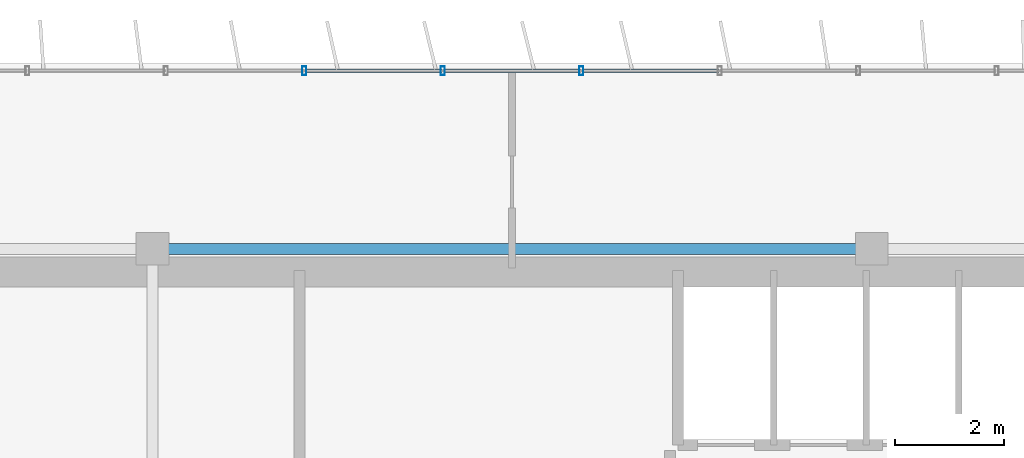
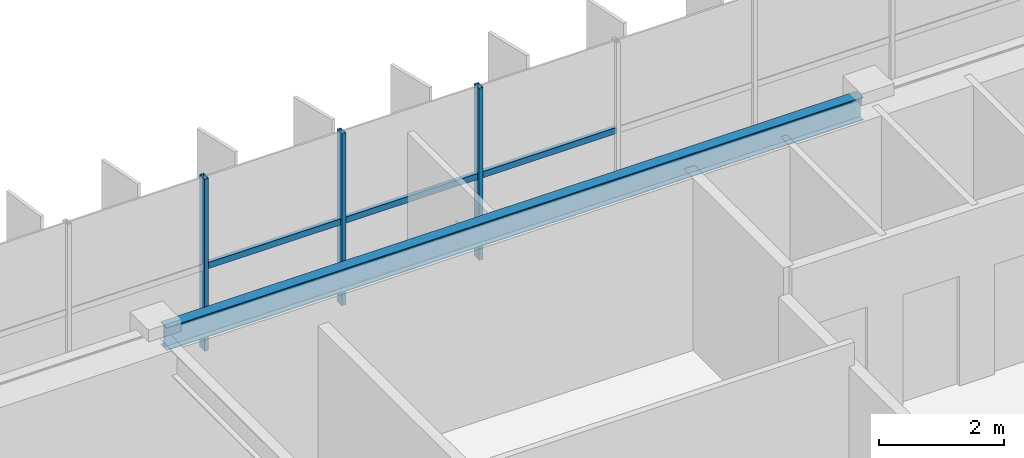
# One storey, part 9 of 23: 6 members, 1 beam, 1 element without a shape of its own.
"""IFC4 building model written with IfcOpenShell, lengths in metres."""

from ifc_helpers import new_model, si_unit, direction, frame, origin, origin_2d, place, context, subcontext, project, spatial, hollow_rectangle, i_section, extrude, source, transform, mapped, material, material_profile, profile_set, type_object, element, aggregate, save


model = new_model("IFC4")

# Units and contexts
model_context = context("Model", 3, precision=1e-05, world=origin(), true_north=direction((0.0, 1.0)))
body_context = subcontext(model_context, "Body", "Model", "MODEL_VIEW")
ifc_project = project(units=[si_unit("LENGTHUNIT", "METRE"), si_unit("AREAUNIT", "SQUARE_METRE"), si_unit("VOLUMEUNIT", "CUBIC_METRE"), si_unit("PLANEANGLEUNIT", "RADIAN"), si_unit("MASSUNIT", "GRAM", prefix="KILO")], contexts=[model_context])

# Site, building, storey
site_placement = place(None, origin())
site = spatial("IfcSite", under=ifc_project, at=site_placement, CompositionType="ELEMENT")
building_placement = place(site_placement, origin())
building = spatial("IfcBuilding", under=site, at=building_placement, Name="Trelvane Seafront Commons", CompositionType="ELEMENT")
storey_placement = place(building_placement, frame((0.0, 0.0, 266.699951171875)))
storey = spatial("IfcBuildingStorey", under=building, at=storey_placement, Name="L69", CompositionType="ELEMENT", Elevation=266.699951171875)

# Beam
ifc_material_1 = material(Name="Steel SM355 (S355)", Category="steel")
ifc_material_profile_1 = material_profile(ifc_material_1, i_section(OverallWidth=0.199951171875, OverallDepth=0.449951171875, WebThickness=0.009033203125, FlangeThickness=0.013916015625, at=origin_2d()), Name="H-450x200x9x14")
ifc_profile_set_1 = profile_set([ifc_material_profile_1], Name="Steel SM355 (S355)")
beam_type = type_object("IfcBeamType", Name="STR-SPD-H450", PredefinedType="SPANDREL", material=ifc_profile_set_1)
shared_shape_1 = source(origin(), body_context, "Body", "SweptSolid", [
    extrude(i_section(OverallWidth=0.199951171875, OverallDepth=0.449951171875, WebThickness=0.009033203125, FlangeThickness=0.013916015625, at=origin_2d()), origin(), (0.0, 0.0, 1.0), 12.89990234375),
])
beam_placement = place(storey_placement, frame((30.75, 45.10009765625, 3.14501953125), z_axis=(1.0, 0.0, 0.0), x_axis=(0.0, 1.0, 0.0)))
element("IfcBeam", 1, at=beam_placement, inside=storey, type_object=beam_type, Name="L69 Primary Girder G-25", PredefinedType="SPANDREL", context=body_context, shape_type="MappedRepresentation", body=[
    mapped(shared_shape_1, transform((0.0, 0.0, 0.0), x_axis=(1.0, 0.0, 0.0), y_axis=(0.0, 1.0, 0.0), z_axis=(0.0, 0.0, 1.0), scale=1.0)),
])

# Curtain wall, members
ifc_material_2 = material(Name="Anodised pale-silver aluminium", Category="aluminium")
curtain_wall_type = type_object("IfcCurtainWallType", Name="ARCH-CW5-UPTOWER", PredefinedType="NOTDEFINED", material=ifc_material_2)
curtain_wall_placement = place(storey_placement, origin())
curtain_wall = element("IfcCurtainWall", 2, at=curtain_wall_placement, inside=storey, type_object=curtain_wall_type, Name="CW-L69-0113", PredefinedType="NOTDEFINED")
ifc_material_profile_2 = material_profile(ifc_material_2, hollow_rectangle(XDim=0.070068359375, YDim=0.1201171875, WallThickness=0.00390625, at=origin_2d()), Name="TRAN-70x120x4")
ifc_profile_set_2 = profile_set([ifc_material_profile_2], Name="Anodised pale-silver aluminium")
member_type_1 = type_object("IfcMemberType", Name="ARCH-CW-TRAN-120", PredefinedType="USERDEFINED", material=ifc_profile_set_2)
shared_shape_2 = source(origin(), body_context, "Body", "SweptSolid", [
    extrude(hollow_rectangle(XDim=0.070068359375, YDim=0.1201171875, WallThickness=0.00390625, at=origin_2d()), origin(), (0.0, 0.0, 1.0), 2.51708984375),
])
member_1_placement = place(storey_placement, frame((35.94140625, 48.3701171875, 1.6181640625), z_axis=(1.0, 0.0, 0.0), x_axis=(0.0, 1.0, 0.0)))
member_1 = element("IfcMember", 3, at=member_1_placement, type_object=member_type_1, Name="CW-L69-0113-T08", ObjectType="TRANSOM", PredefinedType="USERDEFINED", context=body_context, shape_type="MappedRepresentation", body=[
    mapped(shared_shape_2, transform((0.0, 0.0, 0.0), x_axis=(1.0, 0.0, 0.0), y_axis=(0.0, 1.0, 0.0), z_axis=(0.0, 0.0, 1.0), scale=1.0)),
])
member_2_placement = place(storey_placement, frame((38.482666015625, 48.3701171875, 1.6181640625), z_axis=(1.0, 0.0, 0.0), x_axis=(0.0, 1.0, 0.0)))
member_2 = element("IfcMember", 4, at=member_2_placement, type_object=member_type_1, Name="CW-L69-0113-T09", ObjectType="TRANSOM", PredefinedType="USERDEFINED", context=body_context, shape_type="MappedRepresentation", body=[
    mapped(shared_shape_2, transform((0.0, 0.0, 0.0), x_axis=(1.0, 0.0, 0.0), y_axis=(0.0, 1.0, 0.0), z_axis=(0.0, 0.0, 1.0), scale=1.0)),
])
shared_shape_3 = source(origin(), body_context, "Body", "SweptSolid", [
    extrude(hollow_rectangle(XDim=0.070068359375, YDim=0.1201171875, WallThickness=0.00390625, at=origin_2d()), origin(), (0.0, 0.0, 1.0), 2.517333984375),
])
member_3_placement = place(storey_placement, frame((33.400146484375, 48.3701171875, 1.6181640625), z_axis=(1.0, 0.0, 0.0), x_axis=(0.0, 1.0, 0.0)))
member_3 = element("IfcMember", 5, at=member_3_placement, type_object=member_type_1, Name="CW-L69-0113-T07", ObjectType="TRANSOM", PredefinedType="USERDEFINED", context=body_context, shape_type="MappedRepresentation", body=[
    mapped(shared_shape_3, transform((0.0, 0.0, 0.0), x_axis=(1.0, 0.0, 0.0), y_axis=(0.0, 1.0, 0.0), z_axis=(0.0, 0.0, 1.0), scale=1.0)),
])
ifc_material_profile_3 = material_profile(ifc_material_2, hollow_rectangle(XDim=0.074951171875, YDim=0.159912109375, WallThickness=0.00390625, at=origin_2d()), Name="MULL-75x160x4")
ifc_profile_set_3 = profile_set([ifc_material_profile_3], Name="Anodised pale-silver aluminium")
member_type_2 = type_object("IfcMemberType", Name="ARCH-CW-MULL-160", PredefinedType="MULLION", material=ifc_profile_set_3)
shared_shape_4 = source(origin(), body_context, "Body", "SweptSolid", [
    extrude(hollow_rectangle(XDim=0.074951171875, YDim=0.159912109375, WallThickness=0.00390625, at=origin_2d()), origin(), (0.0, 0.0, 1.0), 3.3701171875),
])
member_4_placement = place(storey_placement, frame((33.38818359375, 48.3701171875, 0.0), z_axis=(0.0, 0.0, 1.0), x_axis=(1.0, 0.0, 0.0)))
member_4 = element("IfcMember", 6, at=member_4_placement, type_object=member_type_2, Name="CW-L69-0113-M07", PredefinedType="MULLION", context=body_context, shape_type="MappedRepresentation", body=[
    mapped(shared_shape_4, transform((0.0, 0.0, 0.0), x_axis=(1.0, 0.0, 0.0), y_axis=(0.0, 1.0, 0.0), z_axis=(0.0, 0.0, 1.0), scale=1.0)),
])
member_5_placement = place(storey_placement, frame((35.929443359375, 48.3701171875, 0.0), z_axis=(0.0, 0.0, 1.0), x_axis=(1.0, 0.0, 0.0)))
member_5 = element("IfcMember", 7, at=member_5_placement, type_object=member_type_2, Name="CW-L69-0113-M08", PredefinedType="MULLION", context=body_context, shape_type="MappedRepresentation", body=[
    mapped(shared_shape_4, transform((0.0, 0.0, 0.0), x_axis=(1.0, 0.0, 0.0), y_axis=(0.0, 1.0, 0.0), z_axis=(0.0, 0.0, 1.0), scale=1.0)),
])
member_6_placement = place(storey_placement, frame((38.470703125, 48.3701171875, 0.0), z_axis=(0.0, 0.0, 1.0), x_axis=(1.0, 0.0, 0.0)))
member_6 = element("IfcMember", 8, at=member_6_placement, type_object=member_type_2, Name="CW-L69-0113-M09", PredefinedType="MULLION", context=body_context, shape_type="MappedRepresentation", body=[
    mapped(shared_shape_4, transform((0.0, 0.0, 0.0), x_axis=(1.0, 0.0, 0.0), y_axis=(0.0, 1.0, 0.0), z_axis=(0.0, 0.0, 1.0), scale=1.0)),
])
aggregate(curtain_wall, [member_4, member_5, member_6, member_3, member_1, member_2])

save(model, "model.ifc")
